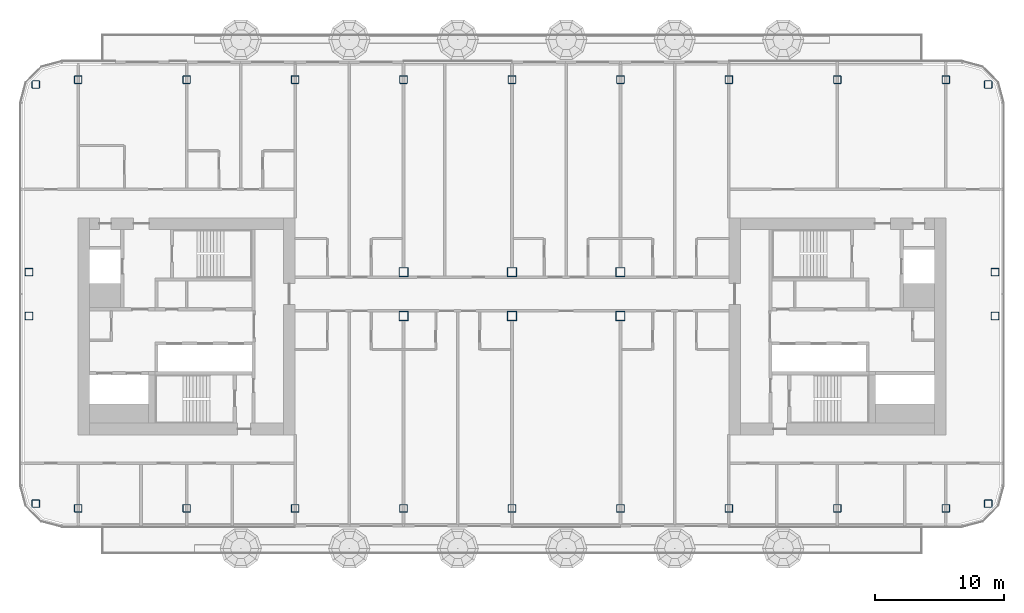
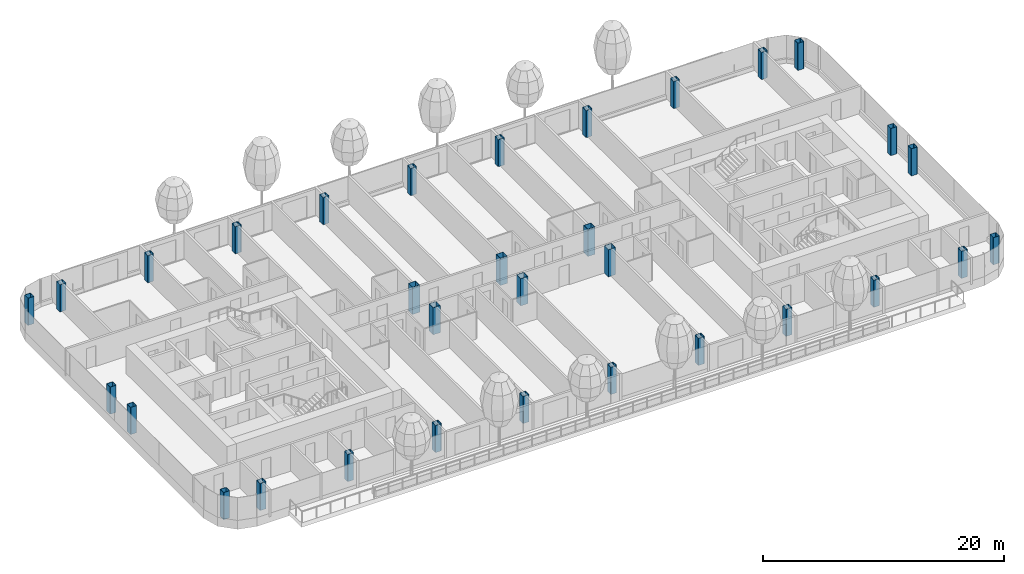
# One storey, part 1 of 29: 32 columns.
"""IFC4 building model written with IfcOpenShell, lengths in metres."""

from ifc_helpers import new_model, si_unit, direction, frame, origin, origin_2d, place, context, subcontext, project, spatial, hollow_rectangle, extrude, material, material_profile, profile_set, type_object, element, save


model = new_model("IFC4")

# Units and contexts
model_context = context("Model", 3, precision=1e-05, world=origin(), true_north=direction((0.0, 1.0)))
body_context = subcontext(model_context, "Body", "Model", "MODEL_VIEW")
ifc_project = project(units=[si_unit("LENGTHUNIT", "METRE"), si_unit("AREAUNIT", "SQUARE_METRE"), si_unit("VOLUMEUNIT", "CUBIC_METRE"), si_unit("PLANEANGLEUNIT", "RADIAN"), si_unit("MASSUNIT", "GRAM", prefix="KILO")], contexts=[model_context])

# Site, building, storey
site_placement = place(None, origin())
site = spatial("IfcSite", under=ifc_project, at=site_placement, CompositionType="ELEMENT")
building_placement = place(site_placement, origin())
building = spatial("IfcBuilding", under=site, at=building_placement, Name="Hakoniwa Tower and Hamabe Station Hall", CompositionType="ELEMENT")
storey_placement = place(building_placement, frame((0.0, 0.0, 205.800048828125)))
storey = spatial("IfcBuildingStorey", under=building, at=storey_placement, Name="L58", CompositionType="ELEMENT", Elevation=205.800048828125)

# Columns
ifc_material_1 = material(Name="Steel BCP325", Category="steel")
ifc_material_profile_1 = material_profile(ifc_material_1, hollow_rectangle(XDim=0.60009765625, YDim=0.60009765625, WallThickness=0.02490234375, InnerFilletRadius=0.03759765625, OuterFilletRadius=0.0625, at=origin_2d()), Name="BCP-600x600x25")
ifc_profile_set_1 = profile_set([ifc_material_profile_1], Name="Steel BCP325")
column_type_1 = type_object("IfcColumnType", Name="COLUMN BCP-600x600x25", PredefinedType="COLUMN", material=ifc_profile_set_1)
for number, where, z_axis, x_axis, name in (
    (1, (-36.877685546875, -13.728515625, 0.0), (0.0, 0.0, 1.0), (1.0, 0.0, 0.0), "Column B4-EW-A4"),
    (2, (-37.39990234375, 0.800048828125, 0.0), (0.0, 0.0, 1.0), (1.0, 0.0, 0.0), "Column B4-EW-C4"),
    (3, (-37.39990234375, 4.199951171875, 0.0), (0.0, 0.0, 1.0), (1.0, 0.0, 0.0), "Column B4-EW-D4"),
    (4, (-36.877685546875, 18.728515625, 0.0), (0.0, 0.0, 1.0), (1.0, 0.0, 0.0), "Column B4-EW-F4"),
    (5, (-33.60009765625, -14.10009765625, 0.0), (0.0, 0.0, 1.0), (1.0, 0.0, 0.0), "Column B4-3-A4"),
    (6, (-33.60009765625, 19.10009765625, 0.0), (0.0, 0.0, 1.0), (1.0, 0.0, 0.0), "Column B4-3-F4"),
    (7, (-25.199951171875, -14.10009765625, 0.0), (0.0, 0.0, 1.0), (1.0, 0.0, 0.0), "Column B4-4-A4"),
    (8, (-25.199951171875, 19.10009765625, 0.0), (0.0, 0.0, 1.0), (1.0, 0.0, 0.0), "Column B4-4-F4"),
    (9, (-16.800048828125, -14.10009765625, 0.0), (0.0, 0.0, 1.0), (1.0, 0.0, 0.0), "Column B4-5-A4"),
    (10, (-16.800048828125, 19.10009765625, 0.0), (0.0, 0.0, 1.0), (1.0, 0.0, 0.0), "Column B4-5-F4"),
    (11, (-8.39990234375, -14.10009765625, 0.0), (0.0, 0.0, 1.0), (1.0, 0.0, 0.0), "Column B4-6-A4"),
    (12, (-8.39990234375, 19.10009765625, 0.0), (0.0, 0.0, 1.0), (1.0, 0.0, 0.0), "Column B4-6-F4"),
    (13, (0.0, -14.10009765625, 0.0), (0.0, 0.0, 1.0), (1.0, 0.0, 0.0), "Column B4-7-A4"),
    (14, (0.0, 19.10009765625, 0.0), (0.0, 0.0, 1.0), (1.0, 0.0, 0.0), "Column B4-7-F4"),
    (15, (8.39990234375, -14.10009765625, 0.0), (0.0, 0.0, 1.0), (1.0, 0.0, 0.0), "Column B4-8-A4"),
    (16, (8.39990234375, 19.10009765625, 0.0), (0.0, 0.0, 1.0), (1.0, 0.0, 0.0), "Column B4-8-F4"),
    (17, (16.800048828125, -14.10009765625, 0.0), (0.0, 0.0, 1.0), (1.0, 0.0, 0.0), "Column B4-9-A4"),
    (18, (16.800048828125, 19.10009765625, 0.0), (0.0, 0.0, 1.0), (1.0, 0.0, 0.0), "Column B4-9-F4"),
    (19, (25.199951171875, -14.10009765625, 0.0), (0.0, 0.0, 1.0), (1.0, 0.0, 0.0), "Column B4-10-A4"),
    (20, (25.199951171875, 19.10009765625, 0.0), (0.0, 0.0, 1.0), (1.0, 0.0, 0.0), "Column B4-10-F4"),
    (21, (33.60009765625, -14.10009765625, 0.0), (0.0, 0.0, 1.0), (1.0, 0.0, 0.0), "Column B4-11-A4"),
    (22, (33.60009765625, 19.10009765625, 0.0), (0.0, 0.0, 1.0), (1.0, 0.0, 0.0), "Column B4-11-F4"),
    (23, (36.877685546875, -13.728515625, 0.0), (0.0, 0.0, 1.0), (1.0, 0.0, 0.0), "Column B4-EE-A4"),
    (24, (37.39990234375, 0.800048828125, 0.0), (0.0, 0.0, 1.0), (1.0, 0.0, 0.0), "Column B4-EE-C4"),
    (25, (37.39990234375, 4.199951171875, 0.0), (0.0, 0.0, 1.0), (1.0, 0.0, 0.0), "Column B4-EE-D4"),
    (26, (36.877685546875, 18.728515625, 0.0), (0.0, 0.0, 1.0), (1.0, 0.0, 0.0), "Column B4-EE-F4"),
):
    element("IfcColumn", number, at=place(storey_placement, frame(where, z_axis=z_axis, x_axis=x_axis)), inside=storey, type_object=column_type_1, Name=name, PredefinedType="COLUMN", context=body_context, shape_type="SweptSolid", body=[
        extrude(hollow_rectangle(XDim=0.60009765625, YDim=0.60009765625, WallThickness=0.02490234375, InnerFilletRadius=0.03759765625, OuterFilletRadius=0.0625, at=origin_2d()), origin(), (0.0, 0.0, 1.0), 2.75),
    ])
ifc_material_2 = material(Name="Steel SN490C", Category="steel")
ifc_material_profile_2 = material_profile(ifc_material_2, hollow_rectangle(XDim=0.699951171875, YDim=0.699951171875, WallThickness=0.028076171875, at=origin_2d()), Name="BX-700x700x28")
ifc_profile_set_2 = profile_set([ifc_material_profile_2], Name="Steel SN490C")
column_type_2 = type_object("IfcColumnType", Name="COLUMN BX-700x700x28", PredefinedType="COLUMN", material=ifc_profile_set_2)
for number, where, z_axis, x_axis, name in (
    (27, (-8.39990234375, 0.800048828125, 0.0), (0.0, 0.0, 1.0), (1.0, 0.0, 0.0), "Column B4-6-C4"),
    (28, (-8.39990234375, 4.199951171875, 0.0), (0.0, 0.0, 1.0), (1.0, 0.0, 0.0), "Column B4-6-D4"),
    (29, (0.0, 0.800048828125, 0.0), (0.0, 0.0, 1.0), (1.0, 0.0, 0.0), "Column B4-7-C4"),
    (30, (0.0, 4.199951171875, 0.0), (0.0, 0.0, 1.0), (1.0, 0.0, 0.0), "Column B4-7-D4"),
    (31, (8.39990234375, 0.800048828125, 0.0), (0.0, 0.0, 1.0), (1.0, 0.0, 0.0), "Column B4-8-C4"),
    (32, (8.39990234375, 4.199951171875, 0.0), (0.0, 0.0, 1.0), (1.0, 0.0, 0.0), "Column B4-8-D4"),
):
    element("IfcColumn", number, at=place(storey_placement, frame(where, z_axis=z_axis, x_axis=x_axis)), inside=storey, type_object=column_type_2, Name=name, PredefinedType="COLUMN", context=body_context, shape_type="SweptSolid", body=[
        extrude(hollow_rectangle(XDim=0.699951171875, YDim=0.699951171875, WallThickness=0.028076171875, at=origin_2d()), origin(), (0.0, 0.0, 1.0), 2.75),
    ])

save(model, "model.ifc")
